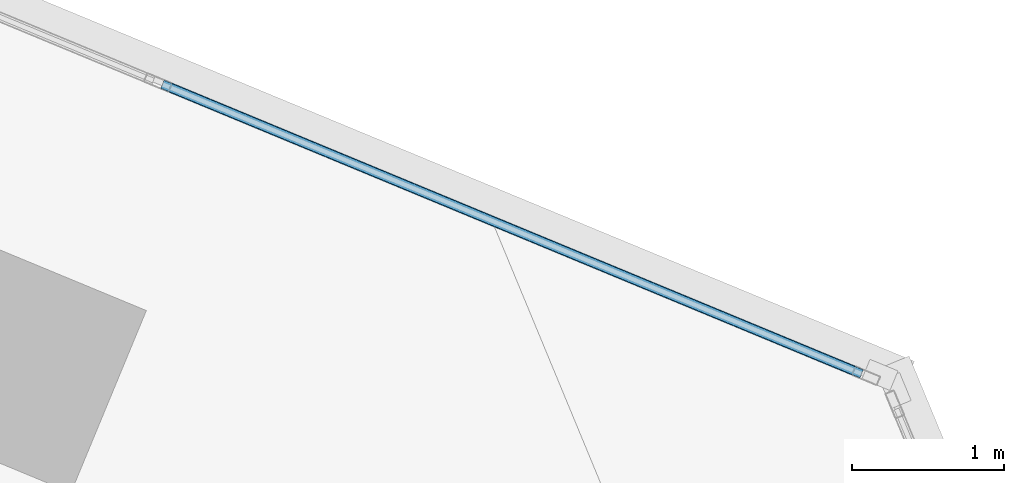
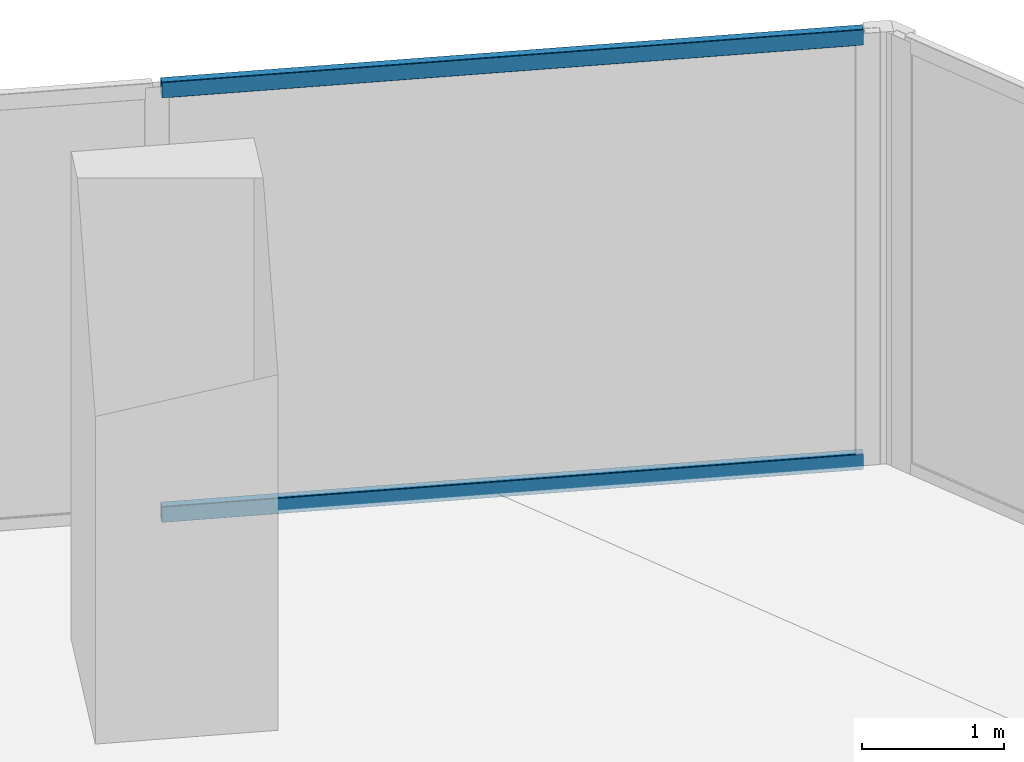
# One storey, part 12 of 24: 2 members, 1 element without a shape of its own.
"""IFC4 building model written with IfcOpenShell, lengths in metres."""

from ifc_helpers import new_model, si_unit, direction, frame, origin, origin_2d, place, context, subcontext, project, spatial, hollow_rectangle, extrude, source, transform, mapped, material, material_profile, profile_set, type_object, element, aggregate, save


model = new_model("IFC4")

# Units and contexts
model_context = context("Model", 3, precision=1e-05, world=origin(), true_north=direction((0.0, 1.0)))
body_context = subcontext(model_context, "Body", "Model", "MODEL_VIEW")
ifc_project = project(units=[si_unit("LENGTHUNIT", "METRE"), si_unit("AREAUNIT", "SQUARE_METRE"), si_unit("VOLUMEUNIT", "CUBIC_METRE"), si_unit("PLANEANGLEUNIT", "RADIAN"), si_unit("MASSUNIT", "GRAM", prefix="KILO")], contexts=[model_context])

# Site, building, storey
site_placement = place(None, origin())
site = spatial("IfcSite", under=ifc_project, at=site_placement, CompositionType="ELEMENT")
building_placement = place(site_placement, origin())
building = spatial("IfcBuilding", under=site, at=building_placement, Name="Torre Montelarca", CompositionType="ELEMENT")
storey_placement = place(building_placement, frame((0.0, 0.0, 141.39990234375)))
storey = spatial("IfcBuildingStorey", under=building, at=storey_placement, Name="L31", CompositionType="ELEMENT", Elevation=141.39990234375)

# Curtain wall, members
ifc_material_1 = material(Name="Insulated low-E laminated glass", Category="glass")
curtain_wall_type = type_object("IfcCurtainWallType", Name="CW-SYS-Z2", PredefinedType="USERDEFINED", material=ifc_material_1)
curtain_wall_placement = place(storey_placement, origin())
curtain_wall = element("IfcCurtainWall", 1, at=curtain_wall_placement, inside=storey, type_object=curtain_wall_type, Name="L31 Curtain Wall Run CW-T3-L31-E08-B1", ObjectType="UNITISED GLAZING", PredefinedType="USERDEFINED")
ifc_material_2 = material(Name="Anodised aluminium AA 6063-T6", Category="aluminium")
ifc_material_profile = material_profile(ifc_material_2, hollow_rectangle(XDim=0.06494140625, YDim=0.139892578125, WallThickness=0.00390625, InnerFilletRadius=0.00390625, OuterFilletRadius=0.008056640625, at=origin_2d()), Name="ALU65X140X4", Category="aluminium")
ifc_profile_set = profile_set([ifc_material_profile], Name="Anodised aluminium AA 6063-T6")
member_type = type_object("IfcMemberType", Name="CWT-ALU140", PredefinedType="USERDEFINED", material=ifc_profile_set)
shared_shape = source(origin(), body_context, "Body", "SweptSolid", [
    extrude(hollow_rectangle(XDim=0.06494140625, YDim=0.139892578125, WallThickness=0.00390625, InnerFilletRadius=0.00390625, OuterFilletRadius=0.008056640625, at=origin_2d()), origin(), (0.0, 0.0, 1.0), 4.9921875),
])
member_1_placement = place(storey_placement, frame((51.364990234375, 37.023681640625, 0.03271484375), z_axis=(-0.923877948785, 0.382687255796, 0.0), x_axis=(-0.382687255796, -0.923877948785, 0.0)))
member_1 = element("IfcMember", 2, at=member_1_placement, type_object=member_type, Name="CW transom 1.1", ObjectType="TRANSOM", PredefinedType="USERDEFINED", context=body_context, shape_type="MappedRepresentation", body=[
    mapped(shared_shape, transform((0.0, 0.0, 0.0), scale=1.0)),
])
member_2_placement = place(storey_placement, frame((51.364990234375, 37.023681640625, 3.6875), z_axis=(-0.923877948785, 0.382687255796, 0.0), x_axis=(-0.382687255796, -0.923877948785, 0.0)))
member_2 = element("IfcMember", 3, at=member_2_placement, type_object=member_type, Name="CW transom 1.2", ObjectType="TRANSOM", PredefinedType="USERDEFINED", context=body_context, shape_type="MappedRepresentation", body=[
    mapped(shared_shape, transform((0.0, 0.0, 0.0), scale=1.0)),
])
aggregate(curtain_wall, [member_1, member_2])

save(model, "model.ifc")
